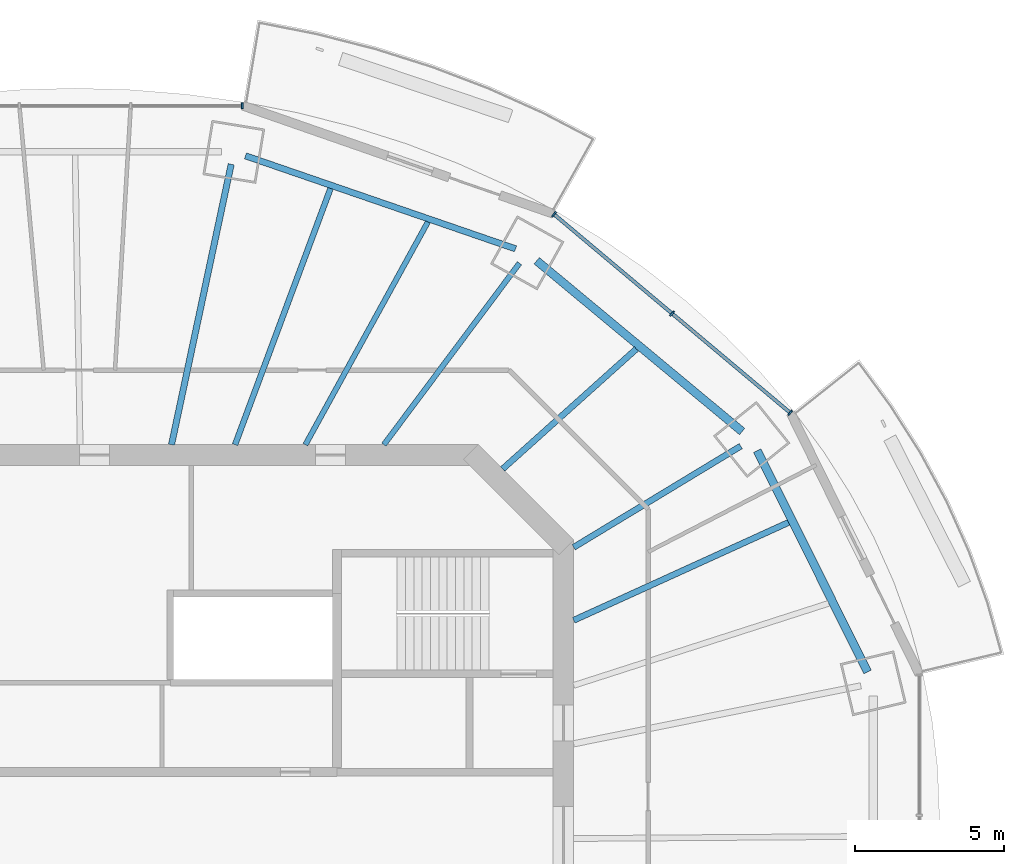
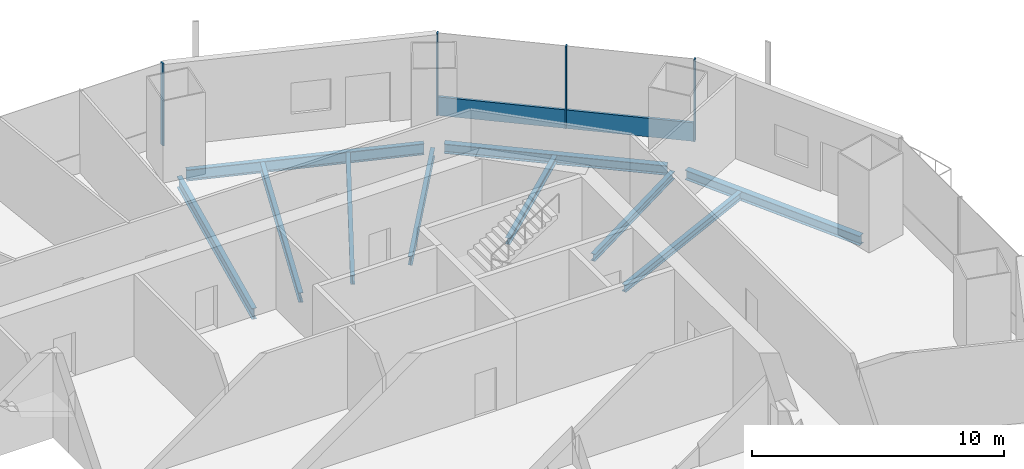
# One storey, part 6 of 16: 10 beams, 5 members, 2 elements without a shape of their own.
"""IFC4 building model written with IfcOpenShell, lengths in metres."""

import ifcopenshell
import ifcopenshell.guid

model = None  # the IFC model being written
_history = None  # IfcOwnerHistory: only IFC2X3 demands one
_inside = {}  # id of a spatial element -> (the spatial element, [elements in it])
_under = {}  # id of a project, library or spatial element -> (it, [spatial elements below it])
_declared = {}  # id of a project -> (the project, [libraries it declares])
_typed = {}  # id of a type object -> (the type object, [elements of that type])
_made_of = {}  # id of a material, layer set ... -> (it, [elements and type objects made of it])


def new_model(schema):
    """Start an empty IFC model of exactly this schema.

    Asked for "IFC4X3", IfcOpenShell would pick the latest addendum, in which some entities
    have other attributes; the version numbers below select the first issue.
    IFC2X3 requires an IfcOwnerHistory on every rooted entity: one is made here for all.
    """
    global model, _history
    if schema == "IFC4X3":
        model = ifcopenshell.file(schema_version=(4, 3, 0, 0))
    else:
        model = ifcopenshell.file(schema=schema)
    _inside.clear()
    _under.clear()
    _declared.clear()
    _typed.clear()
    _made_of.clear()
    _history = None
    if model.schema == "IFC2X3":
        org = make("IfcOrganization", Name="unknown")
        user = make(
            "IfcPersonAndOrganization",
            ThePerson=make("IfcPerson", FamilyName="unknown"),
            TheOrganization=org,
        )
        app = make(
            "IfcApplication",
            ApplicationDeveloper=org,
            Version="unknown",
            ApplicationFullName="unknown",
            ApplicationIdentifier="unknown",
        )
        _history = make(
            "IfcOwnerHistory",
            OwningUser=user,
            OwningApplication=app,
            ChangeAction="ADDED",
            CreationDate=0,
        )
    return model


def make(cls, **values):
    """One entity of the class cls with the attributes given. An attribute that is None is left unset."""
    return model.create_entity(
        cls, **{name: value for name, value in values.items() if value is not None}
    )


def rooted(cls, **values):
    """An entity with a GlobalId (a new one), such as an element, a storey or a relation."""
    return make(cls, GlobalId=ifcopenshell.guid.new(), OwnerHistory=_history, **values)


def si_unit(unit_type, name, prefix=None):
    """IfcSIUnit, for example si_unit("LENGTHUNIT", "METRE", prefix="MILLI")."""
    return make("IfcSIUnit", UnitType=unit_type, Prefix=prefix, Name=name)


def assignment(units):
    """IfcUnitAssignment: the units of a project."""
    return None if units is None else make("IfcUnitAssignment", Units=units)


def point(xyz):
    """IfcCartesianPoint."""
    return None if xyz is None else make("IfcCartesianPoint", Coordinates=xyz)


def direction(xyz):
    """IfcDirection."""
    return None if xyz is None else make("IfcDirection", DirectionRatios=xyz)


def frame(location, z_axis=None, x_axis=None):
    """IfcAxis2Placement3D, a coordinate frame: its origin and axes. An axis left out is left unset."""
    return make(
        "IfcAxis2Placement3D",
        Location=point(location),
        Axis=direction(z_axis),
        RefDirection=direction(x_axis),
    )


def frame_2d(location, x_axis=None):
    """IfcAxis2Placement2D, a coordinate frame in the plane: its origin and x axis."""
    return make(
        "IfcAxis2Placement2D", Location=point(location), RefDirection=direction(x_axis)
    )


def origin():
    """The frame at (0, 0, 0) with its axes left unset."""
    return frame((0.0, 0.0, 0.0))


def origin_2d():
    """The frame at (0, 0) in the plane with its x axis left unset."""
    return frame_2d((0.0, 0.0))


def place(relative_to, where):
    """IfcLocalPlacement: puts the frame where relative to a parent placement (None: the world)."""
    return make(
        "IfcLocalPlacement", PlacementRelTo=relative_to, RelativePlacement=where
    )


def context(
    kind, dimensions, precision=None, world=None, true_north=None, identifier=None
):
    """IfcGeometricRepresentationContext, for example the 3D "Model" context."""
    return make(
        "IfcGeometricRepresentationContext",
        ContextIdentifier=identifier,
        ContextType=kind,
        CoordinateSpaceDimension=dimensions,
        Precision=precision,
        WorldCoordinateSystem=world,
        TrueNorth=true_north,
    )


def subcontext(parent, identifier, kind, view, scale=None):
    """IfcGeometricRepresentationSubContext, for example "Body" below "Model"."""
    return make(
        "IfcGeometricRepresentationSubContext",
        ContextIdentifier=identifier,
        ContextType=kind,
        ParentContext=parent,
        TargetScale=scale,
        TargetView=view,
    )


def project(units=None, contexts=None):
    """IfcProject with its units and contexts."""
    return rooted(
        "IfcProject",
        Name="project",
        RepresentationContexts=contexts,
        UnitsInContext=assignment(units),
    )


def spatial(cls, under=None, at=None, **own):
    """A site, building, storey or space (cls), placed at a placement, below another one or the project."""
    s = rooted(cls, ObjectPlacement=at, **own)
    if under is not None:
        _under.setdefault(under.id(), (under, []))[1].append(s)
    return s


def profile(cls, at=None, kind="AREA", **sizes):
    """A parametric profile (cls). Its sizes go by their IFC names, for example OverallWidth=200.0."""
    return make(cls, ProfileType=kind, Position=at, **sizes)


def rectangle(**sizes):
    """IfcRectangleProfileDef."""
    return profile("IfcRectangleProfileDef", **sizes)


def i_section(**sizes):
    """IfcIShapeProfileDef."""
    return profile("IfcIShapeProfileDef", **sizes)


def extrude(swept, where, along, depth):
    """IfcExtrudedAreaSolid: the profile swept, set in the frame where, extruded along a direction by depth."""
    return make(
        "IfcExtrudedAreaSolid",
        SweptArea=swept,
        Position=where,
        ExtrudedDirection=direction(along),
        Depth=depth,
    )


def shape(context_of_items, identifier, shape_type, items):
    """IfcShapeRepresentation: the items that make up one representation, for example the "Body"."""
    return make(
        "IfcShapeRepresentation",
        ContextOfItems=context_of_items,
        RepresentationIdentifier=identifier,
        RepresentationType=shape_type,
        Items=items,
    )


def material(Name=None, Category=None):
    """IfcMaterial."""
    return make("IfcMaterial", Name=Name, Category=Category)


def material_profile(
    of_material, cross_section, Name=None, Category=None, Priority=None
):
    """IfcMaterialProfile: a cross section and its material."""
    return make(
        "IfcMaterialProfile",
        Name=Name,
        Material=of_material,
        Profile=cross_section,
        Priority=Priority,
        Category=Category,
    )


def profile_set(profiles, Name=None, composite=None):
    """IfcMaterialProfileSet."""
    return make(
        "IfcMaterialProfileSet",
        Name=Name,
        MaterialProfiles=profiles,
        CompositeProfile=composite,
    )


def made_of(thing, what):
    """Note that an element or type object is made of a material, layer set ...; save() writes the relation."""
    if what is not None:
        _made_of.setdefault(what.id(), (what, []))[1].append(thing)
    return thing


def type_object(cls, material=None, **own):
    """A type object (cls), such as IfcWallType, which elements share."""
    return made_of(rooted(cls, **own), material)


def element(
    cls,
    number,
    at=None,
    inside=None,
    cuts=None,
    type_object=None,
    material=None,
    context=None,
    identifier="Body",
    shape_type=None,
    held_by="IfcProductDefinitionShape",
    body=None,
    shapes=None,
    **own,
):
    """One element of the class cls, such as IfcWall. Its Tag is "e" and its number.

    at: its placement. inside: the storey or other place that contains it. cuts: it is an
    opening in that element (IfcRelVoidsElement). A single representation is given by context,
    identifier, shape_type and body (its items); several are given by shapes. held_by: the class
    of the entity that holds the representations. save() writes the other relations.
    """
    e = rooted(cls, Tag="e%d" % number, ObjectPlacement=at, **own)
    if body is not None:
        shapes = [shape(context, identifier, shape_type, body)]
    if shapes is not None:
        e.Representation = make(held_by, Representations=shapes)
    if inside is not None:
        _inside.setdefault(inside.id(), (inside, []))[1].append(e)
    if cuts is not None:
        rooted(
            "IfcRelVoidsElement", RelatingBuildingElement=cuts, RelatedOpeningElement=e
        )
    if type_object is not None:
        _typed.setdefault(type_object.id(), (type_object, []))[1].append(e)
    return made_of(e, material)


def aggregate(whole, parts):
    """IfcRelAggregates: a whole, such as a stair, and the parts it consists of."""
    return rooted("IfcRelAggregates", RelatingObject=whole, RelatedObjects=parts)


def save(model, path):
    """Write the relations noted so far, then the file.

    IfcRelAggregates (storeys below a building ...), IfcRelContainedInSpatialStructure (elements
    in a storey), IfcRelDefinesByType, IfcRelAssociatesMaterial and IfcRelDeclares: one each for
    every whole, place, type object, material and project.
    """
    for whole, parts in _under.values():
        aggregate(whole, parts)
    for where, things in _inside.values():
        rooted(
            "IfcRelContainedInSpatialStructure",
            RelatedElements=things,
            RelatingStructure=where,
        )
    for kind, things in _typed.values():
        rooted("IfcRelDefinesByType", RelatedObjects=things, RelatingType=kind)
    for what, things in _made_of.values():
        rooted("IfcRelAssociatesMaterial", RelatedObjects=things, RelatingMaterial=what)
    for by, libraries in _declared.values():
        rooted("IfcRelDeclares", RelatingContext=by, RelatedDefinitions=libraries)
    model.write(path)


model = new_model("IFC4")

# Units and contexts
model_context = context("Model", 3, precision=1e-05, world=origin(), true_north=direction((0.0, 1.0)))
body_context = subcontext(model_context, "Body", "Model", "MODEL_VIEW")
ifc_project = project(units=[si_unit("LENGTHUNIT", "METRE"), si_unit("AREAUNIT", "SQUARE_METRE"), si_unit("VOLUMEUNIT", "CUBIC_METRE"), si_unit("PLANEANGLEUNIT", "RADIAN"), si_unit("MASSUNIT", "GRAM", prefix="KILO")], contexts=[model_context])

# Site, building, storey
site_placement = place(None, origin())
site = spatial("IfcSite", under=ifc_project, at=site_placement, CompositionType="ELEMENT")
building_placement = place(site_placement, origin())
building = spatial("IfcBuilding", under=site, at=building_placement, Name="Marenthal Gate Tower", CompositionType="ELEMENT")
storey_placement = place(building_placement, frame((0.0, 0.0, 292.800048828125)))
storey = spatial("IfcBuildingStorey", under=building, at=storey_placement, Name="L65", CompositionType="ELEMENT", Elevation=292.800048828125)

# Curtain wall, members
ifc_material_1 = material(Name="Aluminium and glass", Category="aluminium")
curtain_wall_type = type_object("IfcCurtainWallType", Name="Curtain wall typical high", PredefinedType="NOTDEFINED", material=ifc_material_1)
curtain_wall_1_placement = place(storey_placement, origin())
curtain_wall_1 = element("IfcCurtainWall", 1, at=curtain_wall_1_placement, inside=storey, type_object=curtain_wall_type, Name="Curtain wall L65 bay 2", PredefinedType="NOTDEFINED")
ifc_material_2 = material(Name="Aluminium", Category="aluminium")
ifc_material_profile_1 = material_profile(ifc_material_2, rectangle(XDim=0.199951171875, YDim=0.06005859375, at=origin_2d()), Name="60x200 aluminium mullion")
ifc_profile_set_1 = profile_set([ifc_material_profile_1], Name="Aluminium")
member_type_1 = type_object("IfcMemberType", Name="Mullion 60x200 typical high", PredefinedType="MULLION", material=ifc_profile_set_1)
member_1_placement = place(storey_placement, frame((23.621337890625, 14.42138671875, 0.0), z_axis=(0.0, 0.0, 1.0), x_axis=(-0.643380191367, -0.76554681722, 0.0)))
member_1 = element("IfcMember", 2, at=member_1_placement, type_object=member_type_1, Name="Mullion L65 bay 2.1", PredefinedType="MULLION", context=body_context, shape_type="SweptSolid", body=[
    extrude(rectangle(XDim=0.199951171875, YDim=0.06005859375, at=origin_2d()), origin(), (0.0, 0.0, 1.0), 3.969970703125),
])
member_2_placement = place(storey_placement, frame((19.6552734375, 17.754638671875, 0.0), z_axis=(0.0, 0.0, 1.0), x_axis=(-0.643380191367, -0.76554681722, 0.0)))
member_2 = element("IfcMember", 3, at=member_2_placement, type_object=member_type_1, Name="Mullion L65 bay 2.2", PredefinedType="MULLION", context=body_context, shape_type="SweptSolid", body=[
    extrude(rectangle(XDim=0.199951171875, YDim=0.06005859375, at=origin_2d()), origin(), (0.0, 0.0, 1.0), 3.969970703125),
])
member_3_placement = place(storey_placement, frame((15.68896484375, 21.087890625, 0.0), z_axis=(0.0, 0.0, 1.0), x_axis=(-0.643380191367, -0.76554681722, 0.0)))
member_3 = element("IfcMember", 4, at=member_3_placement, type_object=member_type_1, Name="Mullion L65 bay 2.3", PredefinedType="MULLION", context=body_context, shape_type="SweptSolid", body=[
    extrude(rectangle(XDim=0.199951171875, YDim=0.06005859375, at=origin_2d()), origin(), (0.0, 0.0, 1.0), 3.969970703125),
])

# Curtain wall, member
curtain_wall_2_placement = place(storey_placement, origin())
curtain_wall_2 = element("IfcCurtainWall", 5, at=curtain_wall_2_placement, inside=storey, type_object=curtain_wall_type, Name="Curtain wall L65 bay 4", PredefinedType="NOTDEFINED")
member_4_placement = place(storey_placement, frame((5.211669921875, 24.736083984375, 0.0), z_axis=(0.0, 0.0, 1.0), x_axis=(0.0, -1.0, 0.0)))
member_4 = element("IfcMember", 6, at=member_4_placement, type_object=member_type_1, Name="Mullion L65 bay 4.1", PredefinedType="MULLION", context=body_context, shape_type="SweptSolid", body=[
    extrude(rectangle(XDim=0.199951171875, YDim=0.06005859375, at=origin_2d()), origin(), (0.0, 0.0, 1.0), 3.969970703125),
])
aggregate(curtain_wall_2, [member_4])

# Member
ifc_material_3 = material(Name="Aluminium", Category="aluminium")
ifc_material_profile_2 = material_profile(ifc_material_3, rectangle(XDim=0.1201171875, YDim=0.89990234375, at=origin_2d()), Name="120x900 aluminium transom")
ifc_profile_set_2 = profile_set([ifc_material_profile_2], Name="Aluminium")
member_type_2 = type_object("IfcMemberType", Name="Transom 120x900 typical high", PredefinedType="USERDEFINED", material=ifc_profile_set_2)
member_5_placement = place(storey_placement, frame((23.598388671875, 14.440673828125, 0.449951171875), z_axis=(-0.765547508353, 0.643379368999, 0.0), x_axis=(-0.643379368999, -0.765547508353, 0.0)))
member_5 = element("IfcMember", 7, at=member_5_placement, type_object=member_type_2, Name="Transom L65 bay 2", ObjectType="TRANSOM", PredefinedType="USERDEFINED", context=body_context, shape_type="SweptSolid", body=[
    extrude(rectangle(XDim=0.1201171875, YDim=0.89990234375, at=origin_2d()), origin(), (0.0, 0.0, 1.0), 10.3017578125),
])

aggregate(curtain_wall_1, [member_1, member_2, member_3, member_5])

# Beams
ifc_material_4 = material(Name="Steel S355", Category="steel")
ifc_material_profile_3 = material_profile(ifc_material_4, i_section(OverallWidth=0.205078125, OverallDepth=0.31005859375, WebThickness=0.009521484375, FlangeThickness=0.016357421875, FilletRadius=0.0126953125, at=origin_2d()), Name="W310X74")
ifc_profile_set_3 = profile_set([ifc_material_profile_3], Name="Steel S355")
beam_type_1 = type_object("IfcBeamType", Name="W310X74 beam", PredefinedType="BEAM", material=ifc_profile_set_3)
beam_1_placement = place(storey_placement, frame((18.45458984375, 16.564697265625, -0.3349609375), z_axis=(-0.744198463605, -0.667958566655, 0.0), x_axis=(0.667958566655, -0.744198463605, 0.0)))
element("IfcBeam", 8, at=beam_1_placement, inside=storey, type_object=beam_type_1, Name="BM-L65-19", PredefinedType="BEAM", context=body_context, shape_type="SweptSolid", body=[
    extrude(i_section(OverallWidth=0.205078125, OverallDepth=0.31005859375, WebThickness=0.009521484375, FlangeThickness=0.016357421875, FilletRadius=0.0126953125, at=origin_2d()), origin(), (0.0, 0.0, 1.0), 6.036376953125),
])
ifc_material_5 = material(Name="Steel S355", Category="steel")
ifc_material_profile_4 = material_profile(ifc_material_5, i_section(OverallWidth=0.205078125, OverallDepth=0.35302734375, WebThickness=0.009521484375, FlangeThickness=0.016845703125, FilletRadius=0.014892578125, at=origin_2d()), Name="W360X79")
ifc_profile_set_4 = profile_set([ifc_material_profile_4], Name="Steel S355")
beam_type_2 = type_object("IfcBeamType", Name="W360X79 beam", PredefinedType="BEAM", material=ifc_profile_set_4)
beam_2_placement = place(storey_placement, frame((21.960205078125, 13.2998046875, -0.3564453125), z_axis=(-0.855357284352, -0.518038527627, 0.0), x_axis=(0.518038527627, -0.855357284352, 0.0)))
element("IfcBeam", 9, at=beam_2_placement, inside=storey, type_object=beam_type_2, Name="BM-L65-02", PredefinedType="BEAM", context=body_context, shape_type="SweptSolid", body=[
    extrude(i_section(OverallWidth=0.205078125, OverallDepth=0.35302734375, WebThickness=0.009521484375, FlangeThickness=0.016845703125, FilletRadius=0.014892578125, at=origin_2d()), origin(), (0.0, 0.0, 1.0), 6.558837890625),
])
beam_3_placement = place(storey_placement, frame((23.564453125, 10.73583984375, -0.3564453125), z_axis=(-0.910016007484, -0.414573113122, 0.0), x_axis=(0.414573113122, -0.910016007484, 0.0)))
element("IfcBeam", 10, at=beam_3_placement, inside=storey, type_object=beam_type_2, Name="BM-L65-18", PredefinedType="BEAM", context=body_context, shape_type="SweptSolid", body=[
    extrude(i_section(OverallWidth=0.205078125, OverallDepth=0.35302734375, WebThickness=0.009521484375, FlangeThickness=0.016845703125, FilletRadius=0.014892578125, at=origin_2d()), origin(), (0.0, 0.0, 1.0), 7.927734375),
])
ifc_material_6 = material(Name="Steel S355", Category="steel")
ifc_material_profile_5 = material_profile(ifc_material_6, i_section(OverallWidth=0.180908203125, OverallDepth=0.4169921875, WebThickness=0.010986328125, FlangeThickness=0.018310546875, FilletRadius=0.01025390625, at=origin_2d()), Name="W410X85")
ifc_profile_set_5 = profile_set([ifc_material_profile_5], Name="Steel S355")
beam_type_3 = type_object("IfcBeamType", Name="W410X85 beam", PredefinedType="BEAM", material=ifc_profile_set_5)
beam_4_placement = place(storey_placement, frame((14.52880859375, 19.4462890625, -0.388427734375), z_axis=(-0.598530895053, -0.801099723921, 0.0), x_axis=(0.801099723921, -0.598530895053, 0.0)))
element("IfcBeam", 11, at=beam_4_placement, inside=storey, type_object=beam_type_3, Name="BM-L65-03", PredefinedType="BEAM", context=body_context, shape_type="SweptSolid", body=[
    extrude(i_section(OverallWidth=0.180908203125, OverallDepth=0.4169921875, WebThickness=0.010986328125, FlangeThickness=0.018310546875, FilletRadius=0.01025390625, at=origin_2d()), origin(), (0.0, 0.0, 1.0), 7.60986328125),
])
beam_5_placement = place(storey_placement, frame((11.451416015625, 20.830078125, -0.388427734375), z_axis=(-0.481767224864, -0.876299230313, 0.0), x_axis=(0.876299230313, -0.481767224864, 0.0)))
element("IfcBeam", 12, at=beam_5_placement, inside=storey, type_object=beam_type_3, Name="BM-L65-20", PredefinedType="BEAM", context=body_context, shape_type="SweptSolid", body=[
    extrude(i_section(OverallWidth=0.180908203125, OverallDepth=0.4169921875, WebThickness=0.010986328125, FlangeThickness=0.018310546875, FilletRadius=0.01025390625, at=origin_2d()), origin(), (0.0, 0.0, 1.0), 8.535888671875),
])
ifc_material_7 = material(Name="Steel S355", Category="steel")
ifc_material_profile_6 = material_profile(ifc_material_7, i_section(OverallWidth=0.279052734375, OverallDepth=0.4619140625, WebThickness=0.0107421875, FlangeThickness=0.017333984375, FilletRadius=0.010009765625, at=origin_2d()), Name="W460X113")
ifc_profile_set_6 = profile_set([ifc_material_profile_6], Name="Steel S355")
beam_type_4 = type_object("IfcBeamType", Name="W460X113 beam", PredefinedType="BEAM", material=ifc_profile_set_6)
beam_6_placement = place(storey_placement, frame((26.2236328125, 5.71240234375, -0.4111328125), z_axis=(-0.446025836929, 0.895020085133, 0.0), x_axis=(-0.895020085133, -0.446025836929, 0.0)))
element("IfcBeam", 13, at=beam_6_placement, inside=storey, type_object=beam_type_4, Name="BM-L65-41", PredefinedType="BEAM", context=body_context, shape_type="SweptSolid", body=[
    extrude(i_section(OverallWidth=0.279052734375, OverallDepth=0.4619140625, WebThickness=0.0107421875, FlangeThickness=0.017333984375, FilletRadius=0.010009765625, at=origin_2d()), origin(), (0.0, 0.0, 1.0), 8.306884765625),
])
beam_7_placement = place(storey_placement, frame((22.009033203125, 13.79150390625, -0.4111328125), z_axis=(-0.769034611426, 0.639207138906, 0.0), x_axis=(-0.639207138906, -0.769034611426, 0.0)))
element("IfcBeam", 14, at=beam_7_placement, inside=storey, type_object=beam_type_4, Name="BM-L65-42", PredefinedType="BEAM", context=body_context, shape_type="SweptSolid", body=[
    extrude(i_section(OverallWidth=0.279052734375, OverallDepth=0.4619140625, WebThickness=0.0107421875, FlangeThickness=0.017333984375, FilletRadius=0.010009765625, at=origin_2d()), origin(), (0.0, 0.0, 1.0), 8.9736328125),
])
ifc_material_8 = material(Name="Steel S355", Category="steel")
ifc_material_profile_7 = material_profile(ifc_material_8, i_section(OverallWidth=0.193115234375, OverallDepth=0.467041015625, WebThickness=0.011474609375, FlangeThickness=0.01904296875, FilletRadius=0.010009765625, at=origin_2d()), Name="W460X97")
ifc_profile_set_7 = profile_set([ifc_material_profile_7], Name="Steel S355")
beam_type_5 = type_object("IfcBeamType", Name="W460X97 beam", PredefinedType="BEAM", material=ifc_profile_set_7)
beam_8_placement = place(storey_placement, frame((8.181396484375, 21.9560546875, -0.41357421875), z_axis=(-0.349170813631, -0.937059092538, 0.0), x_axis=(0.937059092538, -0.349170813631, 0.0)))
element("IfcBeam", 15, at=beam_8_placement, inside=storey, type_object=beam_type_5, Name="BM-L65-21", PredefinedType="BEAM", context=body_context, shape_type="SweptSolid", body=[
    extrude(i_section(OverallWidth=0.193115234375, OverallDepth=0.467041015625, WebThickness=0.011474609375, FlangeThickness=0.01904296875, FilletRadius=0.010009765625, at=origin_2d()), origin(), (0.0, 0.0, 1.0), 9.18408203125),
])
ifc_material_9 = material(Name="Steel S355", Category="steel")
ifc_material_profile_8 = material_profile(ifc_material_9, i_section(OverallWidth=0.2099609375, OverallDepth=0.535888671875, WebThickness=0.010986328125, FlangeThickness=0.017333984375, FilletRadius=0.0126953125, at=origin_2d()), Name="W530X101")
ifc_profile_set_8 = profile_set([ifc_material_profile_8], Name="Steel S355")
beam_type_6 = type_object("IfcBeamType", Name="W530X101 beam", PredefinedType="BEAM", material=ifc_profile_set_8)
beam_9_placement = place(storey_placement, frame((4.8447265625, 22.769775390625, -0.447998046875), z_axis=(-0.208104032343, -0.978106697514, 0.0), x_axis=(0.978106697514, -0.208104032343, 0.0)))
element("IfcBeam", 16, at=beam_9_placement, inside=storey, type_object=beam_type_6, Name="BM-L65-04", PredefinedType="BEAM", context=body_context, shape_type="SweptSolid", body=[
    extrude(i_section(OverallWidth=0.2099609375, OverallDepth=0.535888671875, WebThickness=0.010986328125, FlangeThickness=0.017333984375, FilletRadius=0.0126953125, at=origin_2d()), origin(), (0.0, 0.0, 1.0), 9.630615234375),
])
ifc_material_10 = material(Name="Steel S355", Category="steel")
ifc_material_profile_9 = material_profile(ifc_material_10, i_section(OverallWidth=0.2119140625, OverallDepth=0.5439453125, WebThickness=0.01318359375, FlangeThickness=0.021240234375, FilletRadius=0.0126953125, at=origin_2d()), Name="W530X123")
ifc_profile_set_9 = profile_set([ifc_material_profile_9], Name="Steel S355")
beam_type_7 = type_object("IfcBeamType", Name="W530X123 beam", PredefinedType="BEAM", material=ifc_profile_set_9)
beam_10_placement = place(storey_placement, frame((14.396728515625, 19.92822265625, -0.4521484375), z_axis=(-0.945528342473, 0.325539788013, 0.0), x_axis=(-0.325539788013, -0.945528342473, 0.0)))
element("IfcBeam", 17, at=beam_10_placement, inside=storey, type_object=beam_type_7, Name="BM-L65-43", PredefinedType="BEAM", context=body_context, shape_type="SweptSolid", body=[
    extrude(i_section(OverallWidth=0.2119140625, OverallDepth=0.5439453125, WebThickness=0.01318359375, FlangeThickness=0.021240234375, FilletRadius=0.0126953125, at=origin_2d()), origin(), (0.0, 0.0, 1.0), 9.595703125),
])

save(model, "model.ifc")
